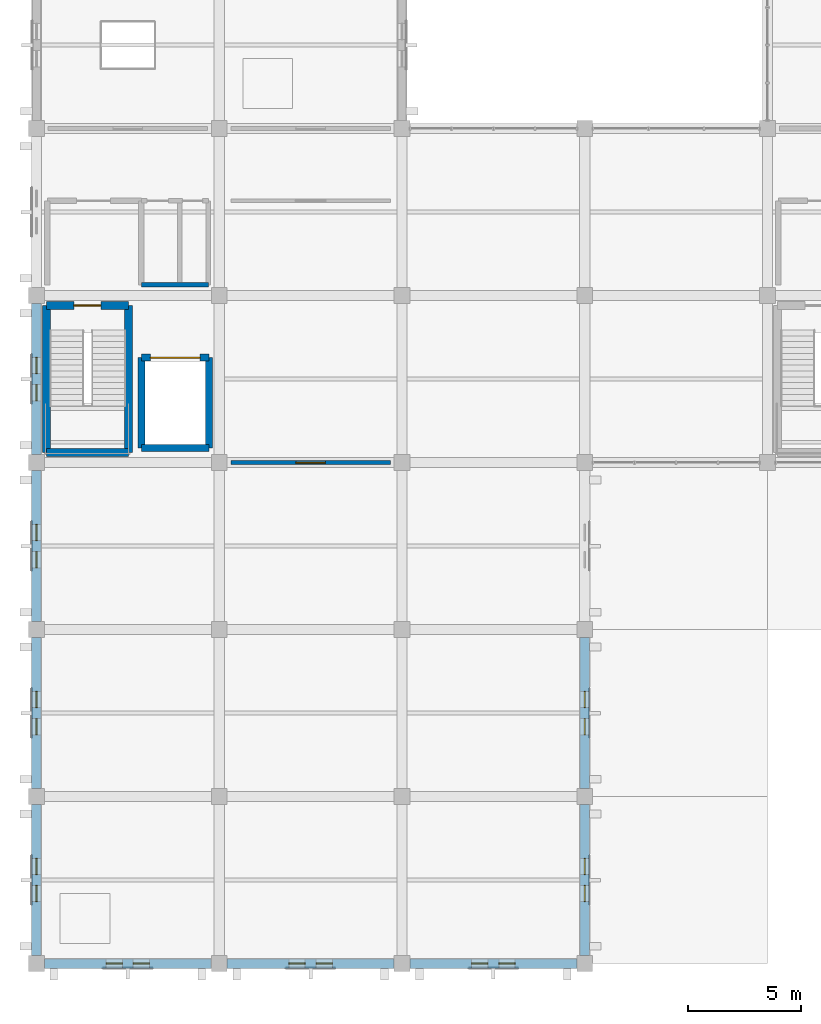
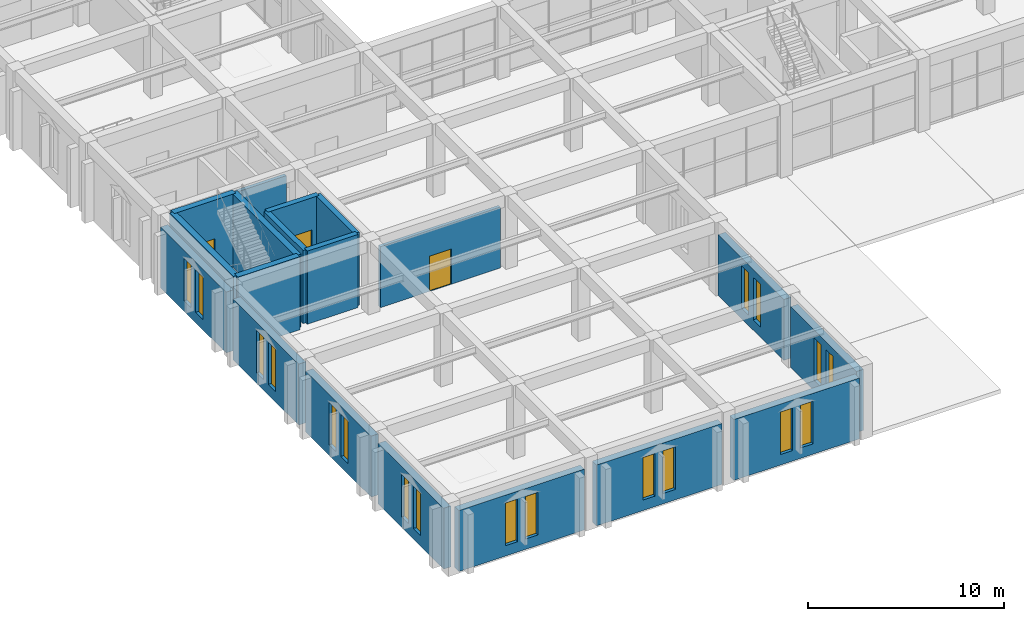
# One storey, part 143 of 161: 19 walls, 18 windows, 3 doors, 21 openings.
"""IFC4 building model written with IfcOpenShell, lengths in metres."""

from ifc_helpers import new_model, si_unit, direction, frame, frame_2d, origin, place, context, subcontext, project, spatial, rectangle, extrude, material, layer, layer_set, type_object, element, fill, save


model = new_model("IFC4")

# Units and contexts
model_context = context("Model", 3, precision=1e-05, world=origin(), true_north=direction((0.0, 1.0)))
body_context = subcontext(model_context, "Body", "Model", "MODEL_VIEW")
ifc_project = project(units=[si_unit("LENGTHUNIT", "METRE"), si_unit("AREAUNIT", "SQUARE_METRE"), si_unit("VOLUMEUNIT", "CUBIC_METRE"), si_unit("PLANEANGLEUNIT", "RADIAN"), si_unit("MASSUNIT", "GRAM", prefix="KILO")], contexts=[model_context])

# Site, building, storey
site_placement = place(None, origin())
site = spatial("IfcSite", under=ifc_project, at=site_placement, CompositionType="ELEMENT")
building_placement = place(site_placement, origin())
building = spatial("IfcBuilding", under=site, at=building_placement, Name="Cimatlan Art Gallery", CompositionType="ELEMENT")
storey_placement = place(building_placement, frame((0.0, 0.0, 5.39990234375)))
storey = spatial("IfcBuildingStorey", under=building, at=storey_placement, Name="L01", CompositionType="ELEMENT", Elevation=5.39990234375)

# Walls
ifc_material_1 = material(Name="Concrete C40/50", Category="concrete")
ifc_layer_1 = layer(ifc_material_1, 0.31005859375)
ifc_layer_set_1 = layer_set([ifc_layer_1], Name="Concrete C40/50")
wall_type_1 = type_object("IfcWallType", Name="W-CORE-310", PredefinedType="SHEAR", material=ifc_layer_set_1)
wall_1_placement = place(storey_placement, frame((6.64990234375, 24.550048828125, 0.0), z_axis=(0.0, 0.0, 1.0), x_axis=(0.0, 1.0, 0.0)))
element("IfcWall", 1, at=wall_1_placement, inside=storey, type_object=wall_type_1, Name="WL-SHFT-C1-L01-LW", PredefinedType="SHEAR", context=body_context, shape_type="SweptSolid", body=[
    extrude(rectangle(XDim=4.0, YDim=0.31005859375, at=frame_2d((2.0, 0.0))), origin(), (0.0, 0.0, 1.0), 4.55517578125),
])
wall_2_placement = place(storey_placement, frame((6.64990234375, 24.550048828125, 0.0), z_axis=(0.0, 0.0, 1.0), x_axis=(1.0, 0.0, 0.0)))
element("IfcWall", 2, at=wall_2_placement, inside=storey, type_object=wall_type_1, Name="WL-SHFT-C1-L01-LS", PredefinedType="SHEAR", context=body_context, shape_type="SweptSolid", body=[
    extrude(rectangle(XDim=3.0, YDim=0.31005859375, at=frame_2d((1.5, 0.0))), origin(), (0.0, 0.0, 1.0), 4.55517578125),
])
wall_3_placement = place(storey_placement, frame((9.64990234375, 24.550048828125, 0.0), z_axis=(0.0, 0.0, 1.0), x_axis=(0.0, 1.0, 0.0)))
element("IfcWall", 3, at=wall_3_placement, inside=storey, type_object=wall_type_1, Name="WL-SHFT-C1-L01-LE", PredefinedType="SHEAR", context=body_context, shape_type="SweptSolid", body=[
    extrude(rectangle(XDim=4.0, YDim=0.31005859375, at=frame_2d((2.0, 0.0))), origin(), (0.0, 0.0, 1.0), 4.55517578125),
])

# Wall, opening, door
wall_4_placement = place(storey_placement, frame((6.64990234375, 28.550048828125, 0.0), z_axis=(0.0, 0.0, 1.0), x_axis=(1.0, 0.0, 0.0)))
wall_4 = element("IfcWall", 4, at=wall_4_placement, inside=storey, type_object=wall_type_1, Name="WL-SHFT-C1-L01-LN", PredefinedType="SHEAR", context=body_context, shape_type="SweptSolid", body=[
    extrude(rectangle(XDim=3.0, YDim=0.31005859375, at=frame_2d((1.5, 0.0))), origin(), (0.0, 0.0, 1.0), 4.55517578125),
])
opening_1_placement = place(wall_4_placement, frame((0.39990234375, 0.0, 0.0)))
opening_1 = element("IfcOpeningElement", 5, at=opening_1_placement, cuts=wall_4, Name="Opening LD-C1-L01", PredefinedType="OPENING", context=body_context, shape_type="SweptSolid", body=[
    extrude(rectangle(XDim=2.199951171875, YDim=2.550048828125, at=frame_2d((1.10009765625, 1.27490234375))), frame((0.0, 0.1650390625, 0.0), z_axis=(0.0, -1.0, 0.0), x_axis=(1.0, 0.0, 0.0)), (0.0, 0.0, 1.0), 0.330078125),
])
ifc_material_2 = material(Name="Heavy-duty bi-parting goods lift landing door")
door_type_1 = type_object("IfcDoorType", Name="LD-GD-2200", OperationType="NOTDEFINED", PredefinedType="DOOR", material=ifc_material_2)
door_1_placement = place(opening_1_placement, origin())
door_1 = element("IfcDoor", 6, at=door_1_placement, inside=storey, type_object=door_type_1, Name="LD-GL-01-L01", OperationType="SLIDING_TO_LEFT", OverallHeight=2.550048828125, OverallWidth=2.199951171875, PredefinedType="DOOR", context=body_context, shape_type="SweptSolid", body=[
    extrude(rectangle(XDim=2.199951171875, YDim=2.550048828125, at=frame_2d((1.10009765625, 1.27490234375))), frame((0.0, 0.02490234375, 0.0), z_axis=(0.0, -1.0, 0.0), x_axis=(1.0, 0.0, 0.0)), (0.0, 0.0, 1.0), 0.050048828125),
])
fill(opening_1, door_1)

# Walls
ifc_layer_2 = layer(ifc_material_1, 0.35009765625)
ifc_layer_set_2 = layer_set([ifc_layer_2], Name="Concrete C40/50")
wall_type_2 = type_object("IfcWallType", Name="W-CORE-350", PredefinedType="SHEAR", material=ifc_layer_set_2)
wall_5_placement = place(storey_placement, frame((2.43994140625, 24.340087890625, 0.0), z_axis=(0.0, 0.0, 1.0), x_axis=(0.0, 1.0, 0.0)))
element("IfcWall", 7, at=wall_5_placement, inside=storey, type_object=wall_type_2, Name="WL-CORE-C1-L01-SW", PredefinedType="SHEAR", context=body_context, shape_type="SweptSolid", body=[
    extrude(rectangle(XDim=6.52001953125, YDim=0.35009765625, at=frame_2d((3.260009765625, 0.0))), origin(), (0.0, 0.0, 1.0), 4.55517578125),
])
wall_6_placement = place(storey_placement, frame((2.43994140625, 24.340087890625, 0.0), z_axis=(0.0, 0.0, 1.0), x_axis=(1.0, 0.0, 0.0)))
element("IfcWall", 8, at=wall_6_placement, inside=storey, type_object=wall_type_2, Name="WL-CORE-C1-L01-SS", PredefinedType="SHEAR", context=body_context, shape_type="SweptSolid", body=[
    extrude(rectangle(XDim=3.64013671875, YDim=0.35009765625, at=frame_2d((1.820068359375, 0.0))), origin(), (0.0, 0.0, 1.0), 4.55517578125),
])
wall_7_placement = place(storey_placement, frame((6.080078125, 24.340087890625, 0.0), z_axis=(0.0, 0.0, 1.0), x_axis=(0.0, 1.0, 0.0)))
element("IfcWall", 9, at=wall_7_placement, inside=storey, type_object=wall_type_2, Name="WL-CORE-C1-L01-SE", PredefinedType="SHEAR", context=body_context, shape_type="SweptSolid", body=[
    extrude(rectangle(XDim=6.52001953125, YDim=0.35009765625, at=frame_2d((3.260009765625, 0.0))), origin(), (0.0, 0.0, 1.0), 4.55517578125),
])

# Wall, opening, door
wall_8_placement = place(storey_placement, frame((2.43994140625, 30.860107421875, 0.0), z_axis=(0.0, 0.0, 1.0), x_axis=(1.0, 0.0, 0.0)))
wall_8 = element("IfcWall", 10, at=wall_8_placement, inside=storey, type_object=wall_type_2, Name="WL-CORE-C1-L01-SN", PredefinedType="SHEAR", context=body_context, shape_type="SweptSolid", body=[
    extrude(rectangle(XDim=3.64013671875, YDim=0.35009765625, at=frame_2d((1.820068359375, 0.0))), origin(), (0.0, 0.0, 1.0), 4.55517578125),
])
opening_2_placement = place(wall_8_placement, frame((1.219970703125, 0.0, 0.0)))
opening_2 = element("IfcOpeningElement", 11, at=opening_2_placement, cuts=wall_8, Name="Opening FD-C1-L01", PredefinedType="OPENING", context=body_context, shape_type="SweptSolid", body=[
    extrude(rectangle(XDim=1.199951171875, YDim=2.14990234375, at=frame_2d((0.60009765625, 1.074951171875))), frame((0.0, 0.18505859375, 0.0), z_axis=(0.0, -1.0, 0.0), x_axis=(1.0, 0.0, 0.0)), (0.0, 0.0, 1.0), 0.3701171875),
])
ifc_material_3 = material(Name="Fire-resisting steel acoustic stair door", Category="steel")
door_type_2 = type_object("IfcDoorType", Name="FD-ST-1200", OperationType="NOTDEFINED", PredefinedType="DOOR", material=ifc_material_3)
door_2_placement = place(opening_2_placement, origin())
door_2 = element("IfcDoor", 12, at=door_2_placement, inside=storey, type_object=door_type_2, Name="DR-C1-L01-ST", OperationType="SINGLE_SWING_LEFT", OverallHeight=2.14990234375, OverallWidth=1.199951171875, PredefinedType="DOOR", context=body_context, shape_type="SweptSolid", body=[
    extrude(rectangle(XDim=1.199951171875, YDim=2.14990234375, at=frame_2d((0.60009765625, 1.074951171875))), frame((0.0, 0.02490234375, 0.0), z_axis=(0.0, -1.0, 0.0), x_axis=(1.0, 0.0, 0.0)), (0.0, 0.0, 1.0), 0.050048828125),
])
fill(opening_2, door_2)

# Wall
ifc_material_4 = material(Name="Moisture-resistant fire-rated plumbing wall")
ifc_layer_3 = layer(ifc_material_4, 0.195068359375)
ifc_layer_set_3 = layer_set([ifc_layer_3], Name="Moisture-resistant fire-rated plumbing wall")
wall_type_3 = type_object("IfcWallType", Name="W-PLM-195", PredefinedType="PARTITIONING", material=ifc_layer_set_3)
wall_9_placement = place(storey_placement, frame((6.64990234375, 31.780029296875, 0.0), z_axis=(0.0, 0.0, 1.0), x_axis=(1.0, 0.0, 0.0)))
element("IfcWall", 13, at=wall_9_placement, inside=storey, type_object=wall_type_3, Name="WL-LOB-C1-L01-S", PredefinedType="PARTITIONING", context=body_context, shape_type="SweptSolid", body=[
    extrude(rectangle(XDim=2.97021484375, YDim=0.195068359375, at=frame_2d((1.485107421875, 0.0))), origin(), (0.0, 0.0, 1.0), 3.800048828125),
])

# Wall, opening, door
ifc_material_5 = material(Name="Acoustic gypsum and steel stud partition", Category="steel")
ifc_layer_4 = layer(ifc_material_5, 0.179931640625)
ifc_layer_set_4 = layer_set([ifc_layer_4], Name="Acoustic gypsum and steel stud partition")
wall_type_4 = type_object("IfcWallType", Name="W-STD-180", PredefinedType="PARTITIONING", material=ifc_layer_set_4)
wall_10_placement = place(storey_placement, frame((10.6201171875, 23.89990234375, 0.0), z_axis=(0.0, 0.0, 1.0), x_axis=(1.0, 0.0, 0.0)))
wall_10 = element("IfcWall", 14, at=wall_10_placement, inside=storey, type_object=wall_type_4, Name="WL-RM-L01-CNS-01", PredefinedType="PARTITIONING", context=body_context, shape_type="SweptSolid", body=[
    extrude(rectangle(XDim=7.059814453125, YDim=0.179931640625, at=frame_2d((3.52978515625, 0.0))), origin(), (0.0, 0.0, 1.0), 3.800048828125),
])
opening_3_placement = place(wall_10_placement, frame((2.8798828125, 0.0, 0.0)))
opening_3 = element("IfcOpeningElement", 15, at=opening_3_placement, cuts=wall_10, Name="Opening DI-0196", PredefinedType="OPENING", context=body_context, shape_type="SweptSolid", body=[
    extrude(rectangle(XDim=1.300048828125, YDim=2.199951171875, at=frame_2d((0.64990234375, 1.10009765625))), frame((0.0, 0.10009765625, 0.0), z_axis=(0.0, -1.0, 0.0), x_axis=(1.0, 0.0, 0.0)), (0.0, 0.0, 1.0), 0.199951171875),
])
ifc_material_6 = material(Name="Conservation laboratory double-leaf door")
door_type_3 = type_object("IfcDoorType", Name="DI-CN-1300", OperationType="NOTDEFINED", PredefinedType="DOOR", material=ifc_material_6)
door_3_placement = place(opening_3_placement, origin())
door_3 = element("IfcDoor", 16, at=door_3_placement, inside=storey, type_object=door_type_3, Name="DR-RM-L01-CNS-01", OperationType="SINGLE_SWING_RIGHT", OverallHeight=2.199951171875, OverallWidth=1.300048828125, PredefinedType="DOOR", context=body_context, shape_type="SweptSolid", body=[
    extrude(rectangle(XDim=1.300048828125, YDim=2.199951171875, at=frame_2d((0.64990234375, 1.10009765625))), frame((0.0, 0.02490234375, 0.0), z_axis=(0.0, -1.0, 0.0), x_axis=(1.0, 0.0, 0.0)), (0.0, 0.0, 1.0), 0.050048828125),
])
fill(opening_3, door_3)

# Wall, openings, windows
ifc_material_7 = material(Name="Precast concrete C40/50", Category="concrete")
ifc_layer_5 = layer(ifc_material_7, 0.419921875)
ifc_layer_set_5 = layer_set([ifc_layer_5], Name="Precast concrete C40/50")
wall_type_5 = type_object("IfcWallType", Name="WL-EXT-CAN-420", PredefinedType="SOLIDWALL", material=ifc_layer_set_5)
wall_11_placement = place(storey_placement, frame((9.74609375, 1.699951171875, 0.0), z_axis=(0.0, 0.0, 1.0), x_axis=(-1.0, 0.0, 0.0)))
wall_11 = element("IfcWall", 17, at=wall_11_placement, inside=storey, type_object=wall_type_5, Name="WL-EXT-L01-00-00-S", PredefinedType="SOLIDWALL", context=body_context, shape_type="SweptSolid", body=[
    extrude(rectangle(XDim=7.39208984375, YDim=0.419921875, at=frame_2d((3.696044921875, 0.0))), origin(), (0.0, 0.0, 1.0), 3.795166015625),
])
opening_4_placement = place(wall_11_placement, frame((2.736083984375, 0.0, 0.64990234375)))
opening_4 = element("IfcOpeningElement", 18, at=opening_4_placement, cuts=wall_11, Name="Opening WN-0053", PredefinedType="OPENING", context=body_context, shape_type="SweptSolid", body=[
    extrude(rectangle(XDim=0.719970703125, YDim=2.64990234375, at=frame_2d((0.35986328125, 1.324951171875))), frame((0.0, 0.219970703125, 0.0), z_axis=(0.0, -1.0, 0.0), x_axis=(1.0, 0.0, 0.0)), (0.0, 0.0, 1.0), 0.43994140625),
])
opening_5_placement = place(wall_11_placement, frame((3.93603515625, 0.0, 0.64990234375)))
opening_5 = element("IfcOpeningElement", 19, at=opening_5_placement, cuts=wall_11, Name="Opening WN-0054", PredefinedType="OPENING", context=body_context, shape_type="SweptSolid", body=[
    extrude(rectangle(XDim=0.719970703125, YDim=2.64990234375, at=frame_2d((0.35986328125, 1.324951171875))), frame((0.0, 0.219970703125, 0.0), z_axis=(0.0, -1.0, 0.0), x_axis=(1.0, 0.0, 0.0)), (0.0, 0.0, 1.0), 0.43994140625),
])
ifc_material_8 = material(Name="Low-E laminated double glazing in bronze lancet frame", Category="glass")
window_type = type_object("IfcWindowType", Name="WIN-CNS-L01-0720X2650", PartitioningType="SINGLE_PANEL", PredefinedType="WINDOW", material=ifc_material_8)
window_1_placement = place(opening_4_placement, origin())
window_1 = element("IfcWindow", 20, at=window_1_placement, inside=storey, type_object=window_type, Name="WIN-0053", OverallHeight=2.64990234375, OverallWidth=0.719970703125, PartitioningType="SINGLE_PANEL", PredefinedType="WINDOW", context=body_context, shape_type="SweptSolid", body=[
    extrude(rectangle(XDim=0.719970703125, YDim=2.64990234375, at=frame_2d((0.35986328125, 1.324951171875))), frame((0.0, 0.030029296875, 0.0), z_axis=(0.0, -1.0, 0.0), x_axis=(1.0, 0.0, 0.0)), (0.0, 0.0, 1.0), 0.06005859375),
])
fill(opening_4, window_1)
window_2_placement = place(opening_5_placement, origin())
window_2 = element("IfcWindow", 21, at=window_2_placement, inside=storey, type_object=window_type, Name="WIN-0054", OverallHeight=2.64990234375, OverallWidth=0.719970703125, PartitioningType="SINGLE_PANEL", PredefinedType="WINDOW", context=body_context, shape_type="SweptSolid", body=[
    extrude(rectangle(XDim=0.719970703125, YDim=2.64990234375, at=frame_2d((0.35986328125, 1.324951171875))), frame((0.0, 0.030029296875, 0.0), z_axis=(0.0, -1.0, 0.0), x_axis=(1.0, 0.0, 0.0)), (0.0, 0.0, 1.0), 0.06005859375),
])
fill(opening_5, window_2)

wall_12_placement = place(storey_placement, frame((2.0, 2.053955078125, 0.0), z_axis=(0.0, 0.0, 1.0), x_axis=(0.0, 1.0, 0.0)))
wall_12 = element("IfcWall", 22, at=wall_12_placement, inside=storey, type_object=wall_type_5, Name="WL-EXT-L01-00-00-W", PredefinedType="SOLIDWALL", context=body_context, shape_type="SweptSolid", body=[
    extrude(rectangle(XDim=6.692138671875, YDim=0.419921875, at=frame_2d((3.34619140625, 0.0))), origin(), (0.0, 0.0, 1.0), 3.795166015625),
])
opening_6_placement = place(wall_12_placement, frame((2.385986328125, 0.0, 0.64990234375)))
opening_6 = element("IfcOpeningElement", 23, at=opening_6_placement, cuts=wall_12, Name="Opening WN-0055", PredefinedType="OPENING", context=body_context, shape_type="SweptSolid", body=[
    extrude(rectangle(XDim=0.719970703125, YDim=2.64990234375, at=frame_2d((0.35986328125, 1.324951171875))), frame((0.0, 0.219970703125, 0.0), z_axis=(0.0, -1.0, 0.0), x_axis=(1.0, 0.0, 0.0)), (0.0, 0.0, 1.0), 0.43994140625),
])
opening_7_placement = place(wall_12_placement, frame((3.5859375, 0.0, 0.64990234375)))
opening_7 = element("IfcOpeningElement", 24, at=opening_7_placement, cuts=wall_12, Name="Opening WN-0056", PredefinedType="OPENING", context=body_context, shape_type="SweptSolid", body=[
    extrude(rectangle(XDim=0.719970703125, YDim=2.64990234375, at=frame_2d((0.35986328125, 1.324951171875))), frame((0.0, 0.219970703125, 0.0), z_axis=(0.0, -1.0, 0.0), x_axis=(1.0, 0.0, 0.0)), (0.0, 0.0, 1.0), 0.43994140625),
])
window_3_placement = place(opening_6_placement, origin())
window_3 = element("IfcWindow", 25, at=window_3_placement, inside=storey, type_object=window_type, Name="WIN-0055", OverallHeight=2.64990234375, OverallWidth=0.719970703125, PartitioningType="SINGLE_PANEL", PredefinedType="WINDOW", context=body_context, shape_type="SweptSolid", body=[
    extrude(rectangle(XDim=0.719970703125, YDim=2.64990234375, at=frame_2d((0.35986328125, 1.324951171875))), frame((0.0, 0.030029296875, 0.0), z_axis=(0.0, -1.0, 0.0), x_axis=(1.0, 0.0, 0.0)), (0.0, 0.0, 1.0), 0.06005859375),
])
fill(opening_6, window_3)
window_4_placement = place(opening_7_placement, origin())
window_4 = element("IfcWindow", 26, at=window_4_placement, inside=storey, type_object=window_type, Name="WIN-0056", OverallHeight=2.64990234375, OverallWidth=0.719970703125, PartitioningType="SINGLE_PANEL", PredefinedType="WINDOW", context=body_context, shape_type="SweptSolid", body=[
    extrude(rectangle(XDim=0.719970703125, YDim=2.64990234375, at=frame_2d((0.35986328125, 1.324951171875))), frame((0.0, 0.030029296875, 0.0), z_axis=(0.0, -1.0, 0.0), x_axis=(1.0, 0.0, 0.0)), (0.0, 0.0, 1.0), 0.06005859375),
])
fill(opening_7, window_4)

wall_13_placement = place(storey_placement, frame((2.0, 9.4541015625, 0.0), z_axis=(0.0, 0.0, 1.0), x_axis=(0.0, 1.0, 0.0)))
wall_13 = element("IfcWall", 27, at=wall_13_placement, inside=storey, type_object=wall_type_5, Name="WL-EXT-L01-00-01-W", PredefinedType="SOLIDWALL", context=body_context, shape_type="SweptSolid", body=[
    extrude(rectangle(XDim=6.69189453125, YDim=0.419921875, at=frame_2d((3.345947265625, 0.0))), origin(), (0.0, 0.0, 1.0), 3.795166015625),
])
opening_8_placement = place(wall_13_placement, frame((2.385986328125, 0.0, 0.64990234375)))
opening_8 = element("IfcOpeningElement", 28, at=opening_8_placement, cuts=wall_13, Name="Opening WN-0057", PredefinedType="OPENING", context=body_context, shape_type="SweptSolid", body=[
    extrude(rectangle(XDim=0.719970703125, YDim=2.64990234375, at=frame_2d((0.35986328125, 1.324951171875))), frame((0.0, 0.219970703125, 0.0), z_axis=(0.0, -1.0, 0.0), x_axis=(1.0, 0.0, 0.0)), (0.0, 0.0, 1.0), 0.43994140625),
])
opening_9_placement = place(wall_13_placement, frame((3.5859375, 0.0, 0.64990234375)))
opening_9 = element("IfcOpeningElement", 29, at=opening_9_placement, cuts=wall_13, Name="Opening WN-0058", PredefinedType="OPENING", context=body_context, shape_type="SweptSolid", body=[
    extrude(rectangle(XDim=0.719970703125, YDim=2.64990234375, at=frame_2d((0.35986328125, 1.324951171875))), frame((0.0, 0.219970703125, 0.0), z_axis=(0.0, -1.0, 0.0), x_axis=(1.0, 0.0, 0.0)), (0.0, 0.0, 1.0), 0.43994140625),
])
window_5_placement = place(opening_8_placement, origin())
window_5 = element("IfcWindow", 30, at=window_5_placement, inside=storey, type_object=window_type, Name="WIN-0057", OverallHeight=2.64990234375, OverallWidth=0.719970703125, PartitioningType="SINGLE_PANEL", PredefinedType="WINDOW", context=body_context, shape_type="SweptSolid", body=[
    extrude(rectangle(XDim=0.719970703125, YDim=2.64990234375, at=frame_2d((0.35986328125, 1.324951171875))), frame((0.0, 0.030029296875, 0.0), z_axis=(0.0, -1.0, 0.0), x_axis=(1.0, 0.0, 0.0)), (0.0, 0.0, 1.0), 0.06005859375),
])
fill(opening_8, window_5)
window_6_placement = place(opening_9_placement, origin())
window_6 = element("IfcWindow", 31, at=window_6_placement, inside=storey, type_object=window_type, Name="WIN-0058", OverallHeight=2.64990234375, OverallWidth=0.719970703125, PartitioningType="SINGLE_PANEL", PredefinedType="WINDOW", context=body_context, shape_type="SweptSolid", body=[
    extrude(rectangle(XDim=0.719970703125, YDim=2.64990234375, at=frame_2d((0.35986328125, 1.324951171875))), frame((0.0, 0.030029296875, 0.0), z_axis=(0.0, -1.0, 0.0), x_axis=(1.0, 0.0, 0.0)), (0.0, 0.0, 1.0), 0.06005859375),
])
fill(opening_9, window_6)

wall_14_placement = place(storey_placement, frame((2.0, 16.85400390625, 0.0), z_axis=(0.0, 0.0, 1.0), x_axis=(0.0, 1.0, 0.0)))
wall_14 = element("IfcWall", 32, at=wall_14_placement, inside=storey, type_object=wall_type_5, Name="WL-EXT-L01-00-02-W", PredefinedType="SOLIDWALL", context=body_context, shape_type="SweptSolid", body=[
    extrude(rectangle(XDim=6.69189453125, YDim=0.419921875, at=frame_2d((3.345947265625, 0.0))), origin(), (0.0, 0.0, 1.0), 3.795166015625),
])
opening_10_placement = place(wall_14_placement, frame((2.385986328125, 0.0, 0.64990234375)))
opening_10 = element("IfcOpeningElement", 33, at=opening_10_placement, cuts=wall_14, Name="Opening WN-0059", PredefinedType="OPENING", context=body_context, shape_type="SweptSolid", body=[
    extrude(rectangle(XDim=0.719970703125, YDim=2.64990234375, at=frame_2d((0.35986328125, 1.324951171875))), frame((0.0, 0.219970703125, 0.0), z_axis=(0.0, -1.0, 0.0), x_axis=(1.0, 0.0, 0.0)), (0.0, 0.0, 1.0), 0.43994140625),
])
opening_11_placement = place(wall_14_placement, frame((3.5859375, 0.0, 0.64990234375)))
opening_11 = element("IfcOpeningElement", 34, at=opening_11_placement, cuts=wall_14, Name="Opening WN-0060", PredefinedType="OPENING", context=body_context, shape_type="SweptSolid", body=[
    extrude(rectangle(XDim=0.719970703125, YDim=2.64990234375, at=frame_2d((0.35986328125, 1.324951171875))), frame((0.0, 0.219970703125, 0.0), z_axis=(0.0, -1.0, 0.0), x_axis=(1.0, 0.0, 0.0)), (0.0, 0.0, 1.0), 0.43994140625),
])
window_7_placement = place(opening_10_placement, origin())
window_7 = element("IfcWindow", 35, at=window_7_placement, inside=storey, type_object=window_type, Name="WIN-0059", OverallHeight=2.64990234375, OverallWidth=0.719970703125, PartitioningType="SINGLE_PANEL", PredefinedType="WINDOW", context=body_context, shape_type="SweptSolid", body=[
    extrude(rectangle(XDim=0.719970703125, YDim=2.64990234375, at=frame_2d((0.35986328125, 1.324951171875))), frame((0.0, 0.030029296875, 0.0), z_axis=(0.0, -1.0, 0.0), x_axis=(1.0, 0.0, 0.0)), (0.0, 0.0, 1.0), 0.06005859375),
])
fill(opening_10, window_7)
window_8_placement = place(opening_11_placement, origin())
window_8 = element("IfcWindow", 36, at=window_8_placement, inside=storey, type_object=window_type, Name="WIN-0060", OverallHeight=2.64990234375, OverallWidth=0.719970703125, PartitioningType="SINGLE_PANEL", PredefinedType="WINDOW", context=body_context, shape_type="SweptSolid", body=[
    extrude(rectangle(XDim=0.719970703125, YDim=2.64990234375, at=frame_2d((0.35986328125, 1.324951171875))), frame((0.0, 0.030029296875, 0.0), z_axis=(0.0, -1.0, 0.0), x_axis=(1.0, 0.0, 0.0)), (0.0, 0.0, 1.0), 0.06005859375),
])
fill(opening_11, window_8)

wall_15_placement = place(storey_placement, frame((2.0, 24.25390625, 0.0), z_axis=(0.0, 0.0, 1.0), x_axis=(0.0, 1.0, 0.0)))
wall_15 = element("IfcWall", 37, at=wall_15_placement, inside=storey, type_object=wall_type_5, Name="WL-EXT-L01-00-03-W", PredefinedType="SOLIDWALL", context=body_context, shape_type="SweptSolid", body=[
    extrude(rectangle(XDim=6.692138671875, YDim=0.419921875, at=frame_2d((3.34619140625, 0.0))), origin(), (0.0, 0.0, 1.0), 3.795166015625),
])
opening_12_placement = place(wall_15_placement, frame((2.385986328125, 0.0, 0.64990234375)))
opening_12 = element("IfcOpeningElement", 38, at=opening_12_placement, cuts=wall_15, Name="Opening WN-0061", PredefinedType="OPENING", context=body_context, shape_type="SweptSolid", body=[
    extrude(rectangle(XDim=0.719970703125, YDim=2.64990234375, at=frame_2d((0.35986328125, 1.324951171875))), frame((0.0, 0.219970703125, 0.0), z_axis=(0.0, -1.0, 0.0), x_axis=(1.0, 0.0, 0.0)), (0.0, 0.0, 1.0), 0.43994140625),
])
opening_13_placement = place(wall_15_placement, frame((3.5859375, 0.0, 0.64990234375)))
opening_13 = element("IfcOpeningElement", 39, at=opening_13_placement, cuts=wall_15, Name="Opening WN-0062", PredefinedType="OPENING", context=body_context, shape_type="SweptSolid", body=[
    extrude(rectangle(XDim=0.719970703125, YDim=2.64990234375, at=frame_2d((0.35986328125, 1.324951171875))), frame((0.0, 0.219970703125, 0.0), z_axis=(0.0, -1.0, 0.0), x_axis=(1.0, 0.0, 0.0)), (0.0, 0.0, 1.0), 0.43994140625),
])
window_9_placement = place(opening_12_placement, origin())
window_9 = element("IfcWindow", 40, at=window_9_placement, inside=storey, type_object=window_type, Name="WIN-0061", OverallHeight=2.64990234375, OverallWidth=0.719970703125, PartitioningType="SINGLE_PANEL", PredefinedType="WINDOW", context=body_context, shape_type="SweptSolid", body=[
    extrude(rectangle(XDim=0.719970703125, YDim=2.64990234375, at=frame_2d((0.35986328125, 1.324951171875))), frame((0.0, 0.030029296875, 0.0), z_axis=(0.0, -1.0, 0.0), x_axis=(1.0, 0.0, 0.0)), (0.0, 0.0, 1.0), 0.06005859375),
])
fill(opening_12, window_9)
window_10_placement = place(opening_13_placement, origin())
window_10 = element("IfcWindow", 41, at=window_10_placement, inside=storey, type_object=window_type, Name="WIN-0062", OverallHeight=2.64990234375, OverallWidth=0.719970703125, PartitioningType="SINGLE_PANEL", PredefinedType="WINDOW", context=body_context, shape_type="SweptSolid", body=[
    extrude(rectangle(XDim=0.719970703125, YDim=2.64990234375, at=frame_2d((0.35986328125, 1.324951171875))), frame((0.0, 0.030029296875, 0.0), z_axis=(0.0, -1.0, 0.0), x_axis=(1.0, 0.0, 0.0)), (0.0, 0.0, 1.0), 0.06005859375),
])
fill(opening_13, window_10)

wall_16_placement = place(storey_placement, frame((17.845947265625, 1.699951171875, 0.0), z_axis=(0.0, 0.0, 1.0), x_axis=(-1.0, 0.0, 0.0)))
wall_16 = element("IfcWall", 42, at=wall_16_placement, inside=storey, type_object=wall_type_5, Name="WL-EXT-L01-01-00-S", PredefinedType="SOLIDWALL", context=body_context, shape_type="SweptSolid", body=[
    extrude(rectangle(XDim=7.391845703125, YDim=0.419921875, at=frame_2d((3.69580078125, 0.0))), origin(), (0.0, 0.0, 1.0), 3.795166015625),
])
opening_14_placement = place(wall_16_placement, frame((2.736083984375, 0.0, 0.64990234375)))
opening_14 = element("IfcOpeningElement", 43, at=opening_14_placement, cuts=wall_16, Name="Opening WN-0079", PredefinedType="OPENING", context=body_context, shape_type="SweptSolid", body=[
    extrude(rectangle(XDim=0.719970703125, YDim=2.64990234375, at=frame_2d((0.35986328125, 1.324951171875))), frame((0.0, 0.219970703125, 0.0), z_axis=(0.0, -1.0, 0.0), x_axis=(1.0, 0.0, 0.0)), (0.0, 0.0, 1.0), 0.43994140625),
])
opening_15_placement = place(wall_16_placement, frame((3.93603515625, 0.0, 0.64990234375)))
opening_15 = element("IfcOpeningElement", 44, at=opening_15_placement, cuts=wall_16, Name="Opening WN-0080", PredefinedType="OPENING", context=body_context, shape_type="SweptSolid", body=[
    extrude(rectangle(XDim=0.719970703125, YDim=2.64990234375, at=frame_2d((0.35986328125, 1.324951171875))), frame((0.0, 0.219970703125, 0.0), z_axis=(0.0, -1.0, 0.0), x_axis=(1.0, 0.0, 0.0)), (0.0, 0.0, 1.0), 0.43994140625),
])
window_11_placement = place(opening_14_placement, origin())
window_11 = element("IfcWindow", 45, at=window_11_placement, inside=storey, type_object=window_type, Name="WIN-0079", OverallHeight=2.64990234375, OverallWidth=0.719970703125, PartitioningType="SINGLE_PANEL", PredefinedType="WINDOW", context=body_context, shape_type="SweptSolid", body=[
    extrude(rectangle(XDim=0.719970703125, YDim=2.64990234375, at=frame_2d((0.35986328125, 1.324951171875))), frame((0.0, 0.030029296875, 0.0), z_axis=(0.0, -1.0, 0.0), x_axis=(1.0, 0.0, 0.0)), (0.0, 0.0, 1.0), 0.06005859375),
])
fill(opening_14, window_11)
window_12_placement = place(opening_15_placement, origin())
window_12 = element("IfcWindow", 46, at=window_12_placement, inside=storey, type_object=window_type, Name="WIN-0080", OverallHeight=2.64990234375, OverallWidth=0.719970703125, PartitioningType="SINGLE_PANEL", PredefinedType="WINDOW", context=body_context, shape_type="SweptSolid", body=[
    extrude(rectangle(XDim=0.719970703125, YDim=2.64990234375, at=frame_2d((0.35986328125, 1.324951171875))), frame((0.0, 0.030029296875, 0.0), z_axis=(0.0, -1.0, 0.0), x_axis=(1.0, 0.0, 0.0)), (0.0, 0.0, 1.0), 0.06005859375),
])
fill(opening_15, window_12)

wall_17_placement = place(storey_placement, frame((25.946044921875, 1.699951171875, 0.0), z_axis=(0.0, 0.0, 1.0), x_axis=(-1.0, 0.0, 0.0)))
wall_17 = element("IfcWall", 47, at=wall_17_placement, inside=storey, type_object=wall_type_5, Name="WL-EXT-L01-02-00-S", PredefinedType="SOLIDWALL", context=body_context, shape_type="SweptSolid", body=[
    extrude(rectangle(XDim=7.39208984375, YDim=0.419921875, at=frame_2d((3.696044921875, 0.0))), origin(), (0.0, 0.0, 1.0), 3.795166015625),
])
opening_16_placement = place(wall_17_placement, frame((2.736083984375, 0.0, 0.64990234375)))
opening_16 = element("IfcOpeningElement", 48, at=opening_16_placement, cuts=wall_17, Name="Opening WN-0089", PredefinedType="OPENING", context=body_context, shape_type="SweptSolid", body=[
    extrude(rectangle(XDim=0.719970703125, YDim=2.64990234375, at=frame_2d((0.35986328125, 1.324951171875))), frame((0.0, 0.219970703125, 0.0), z_axis=(0.0, -1.0, 0.0), x_axis=(1.0, 0.0, 0.0)), (0.0, 0.0, 1.0), 0.43994140625),
])
opening_17_placement = place(wall_17_placement, frame((3.93603515625, 0.0, 0.64990234375)))
opening_17 = element("IfcOpeningElement", 49, at=opening_17_placement, cuts=wall_17, Name="Opening WN-0090", PredefinedType="OPENING", context=body_context, shape_type="SweptSolid", body=[
    extrude(rectangle(XDim=0.719970703125, YDim=2.64990234375, at=frame_2d((0.35986328125, 1.324951171875))), frame((0.0, 0.219970703125, 0.0), z_axis=(0.0, -1.0, 0.0), x_axis=(1.0, 0.0, 0.0)), (0.0, 0.0, 1.0), 0.43994140625),
])
window_13_placement = place(opening_16_placement, origin())
window_13 = element("IfcWindow", 50, at=window_13_placement, inside=storey, type_object=window_type, Name="WIN-0089", OverallHeight=2.64990234375, OverallWidth=0.719970703125, PartitioningType="SINGLE_PANEL", PredefinedType="WINDOW", context=body_context, shape_type="SweptSolid", body=[
    extrude(rectangle(XDim=0.719970703125, YDim=2.64990234375, at=frame_2d((0.35986328125, 1.324951171875))), frame((0.0, 0.030029296875, 0.0), z_axis=(0.0, -1.0, 0.0), x_axis=(1.0, 0.0, 0.0)), (0.0, 0.0, 1.0), 0.06005859375),
])
fill(opening_16, window_13)
window_14_placement = place(opening_17_placement, origin())
window_14 = element("IfcWindow", 51, at=window_14_placement, inside=storey, type_object=window_type, Name="WIN-0090", OverallHeight=2.64990234375, OverallWidth=0.719970703125, PartitioningType="SINGLE_PANEL", PredefinedType="WINDOW", context=body_context, shape_type="SweptSolid", body=[
    extrude(rectangle(XDim=0.719970703125, YDim=2.64990234375, at=frame_2d((0.35986328125, 1.324951171875))), frame((0.0, 0.030029296875, 0.0), z_axis=(0.0, -1.0, 0.0), x_axis=(1.0, 0.0, 0.0)), (0.0, 0.0, 1.0), 0.06005859375),
])
fill(opening_17, window_14)

wall_18_placement = place(storey_placement, frame((26.300048828125, 8.74609375, 0.0), z_axis=(0.0, 0.0, 1.0), x_axis=(0.0, -1.0, 0.0)))
wall_18 = element("IfcWall", 52, at=wall_18_placement, inside=storey, type_object=wall_type_5, Name="WL-EXT-L01-02-00-E", PredefinedType="SOLIDWALL", context=body_context, shape_type="SweptSolid", body=[
    extrude(rectangle(XDim=6.692138671875, YDim=0.419921875, at=frame_2d((3.34619140625, 0.0))), origin(), (0.0, 0.0, 1.0), 3.795166015625),
])
opening_18_placement = place(wall_18_placement, frame((2.385986328125, 0.0, 0.64990234375)))
opening_18 = element("IfcOpeningElement", 53, at=opening_18_placement, cuts=wall_18, Name="Opening WN-0091", PredefinedType="OPENING", context=body_context, shape_type="SweptSolid", body=[
    extrude(rectangle(XDim=0.719970703125, YDim=2.64990234375, at=frame_2d((0.35986328125, 1.324951171875))), frame((0.0, 0.219970703125, 0.0), z_axis=(0.0, -1.0, 0.0), x_axis=(1.0, 0.0, 0.0)), (0.0, 0.0, 1.0), 0.43994140625),
])
opening_19_placement = place(wall_18_placement, frame((3.5859375, 0.0, 0.64990234375)))
opening_19 = element("IfcOpeningElement", 54, at=opening_19_placement, cuts=wall_18, Name="Opening WN-0092", PredefinedType="OPENING", context=body_context, shape_type="SweptSolid", body=[
    extrude(rectangle(XDim=0.719970703125, YDim=2.64990234375, at=frame_2d((0.35986328125, 1.324951171875))), frame((0.0, 0.219970703125, 0.0), z_axis=(0.0, -1.0, 0.0), x_axis=(1.0, 0.0, 0.0)), (0.0, 0.0, 1.0), 0.43994140625),
])
window_15_placement = place(opening_18_placement, origin())
window_15 = element("IfcWindow", 55, at=window_15_placement, inside=storey, type_object=window_type, Name="WIN-0091", OverallHeight=2.64990234375, OverallWidth=0.719970703125, PartitioningType="SINGLE_PANEL", PredefinedType="WINDOW", context=body_context, shape_type="SweptSolid", body=[
    extrude(rectangle(XDim=0.719970703125, YDim=2.64990234375, at=frame_2d((0.35986328125, 1.324951171875))), frame((0.0, 0.030029296875, 0.0), z_axis=(0.0, -1.0, 0.0), x_axis=(1.0, 0.0, 0.0)), (0.0, 0.0, 1.0), 0.06005859375),
])
fill(opening_18, window_15)
window_16_placement = place(opening_19_placement, origin())
window_16 = element("IfcWindow", 56, at=window_16_placement, inside=storey, type_object=window_type, Name="WIN-0092", OverallHeight=2.64990234375, OverallWidth=0.719970703125, PartitioningType="SINGLE_PANEL", PredefinedType="WINDOW", context=body_context, shape_type="SweptSolid", body=[
    extrude(rectangle(XDim=0.719970703125, YDim=2.64990234375, at=frame_2d((0.35986328125, 1.324951171875))), frame((0.0, 0.030029296875, 0.0), z_axis=(0.0, -1.0, 0.0), x_axis=(1.0, 0.0, 0.0)), (0.0, 0.0, 1.0), 0.06005859375),
])
fill(opening_19, window_16)

wall_19_placement = place(storey_placement, frame((26.300048828125, 16.14599609375, 0.0), z_axis=(0.0, 0.0, 1.0), x_axis=(0.0, -1.0, 0.0)))
wall_19 = element("IfcWall", 57, at=wall_19_placement, inside=storey, type_object=wall_type_5, Name="WL-EXT-L01-02-01-E", PredefinedType="SOLIDWALL", context=body_context, shape_type="SweptSolid", body=[
    extrude(rectangle(XDim=6.69189453125, YDim=0.419921875, at=frame_2d((3.345947265625, 0.0))), origin(), (0.0, 0.0, 1.0), 3.795166015625),
])
opening_20_placement = place(wall_19_placement, frame((2.385986328125, 0.0, 0.64990234375)))
opening_20 = element("IfcOpeningElement", 58, at=opening_20_placement, cuts=wall_19, Name="Opening WN-0093", PredefinedType="OPENING", context=body_context, shape_type="SweptSolid", body=[
    extrude(rectangle(XDim=0.719970703125, YDim=2.64990234375, at=frame_2d((0.35986328125, 1.324951171875))), frame((0.0, 0.219970703125, 0.0), z_axis=(0.0, -1.0, 0.0), x_axis=(1.0, 0.0, 0.0)), (0.0, 0.0, 1.0), 0.43994140625),
])
opening_21_placement = place(wall_19_placement, frame((3.5859375, 0.0, 0.64990234375)))
opening_21 = element("IfcOpeningElement", 59, at=opening_21_placement, cuts=wall_19, Name="Opening WN-0094", PredefinedType="OPENING", context=body_context, shape_type="SweptSolid", body=[
    extrude(rectangle(XDim=0.719970703125, YDim=2.64990234375, at=frame_2d((0.35986328125, 1.324951171875))), frame((0.0, 0.219970703125, 0.0), z_axis=(0.0, -1.0, 0.0), x_axis=(1.0, 0.0, 0.0)), (0.0, 0.0, 1.0), 0.43994140625),
])
window_17_placement = place(opening_20_placement, origin())
window_17 = element("IfcWindow", 60, at=window_17_placement, inside=storey, type_object=window_type, Name="WIN-0093", OverallHeight=2.64990234375, OverallWidth=0.719970703125, PartitioningType="SINGLE_PANEL", PredefinedType="WINDOW", context=body_context, shape_type="SweptSolid", body=[
    extrude(rectangle(XDim=0.719970703125, YDim=2.64990234375, at=frame_2d((0.35986328125, 1.324951171875))), frame((0.0, 0.030029296875, 0.0), z_axis=(0.0, -1.0, 0.0), x_axis=(1.0, 0.0, 0.0)), (0.0, 0.0, 1.0), 0.06005859375),
])
fill(opening_20, window_17)
window_18_placement = place(opening_21_placement, origin())
window_18 = element("IfcWindow", 61, at=window_18_placement, inside=storey, type_object=window_type, Name="WIN-0094", OverallHeight=2.64990234375, OverallWidth=0.719970703125, PartitioningType="SINGLE_PANEL", PredefinedType="WINDOW", context=body_context, shape_type="SweptSolid", body=[
    extrude(rectangle(XDim=0.719970703125, YDim=2.64990234375, at=frame_2d((0.35986328125, 1.324951171875))), frame((0.0, 0.030029296875, 0.0), z_axis=(0.0, -1.0, 0.0), x_axis=(1.0, 0.0, 0.0)), (0.0, 0.0, 1.0), 0.06005859375),
])
fill(opening_21, window_18)

save(model, "model.ifc")
